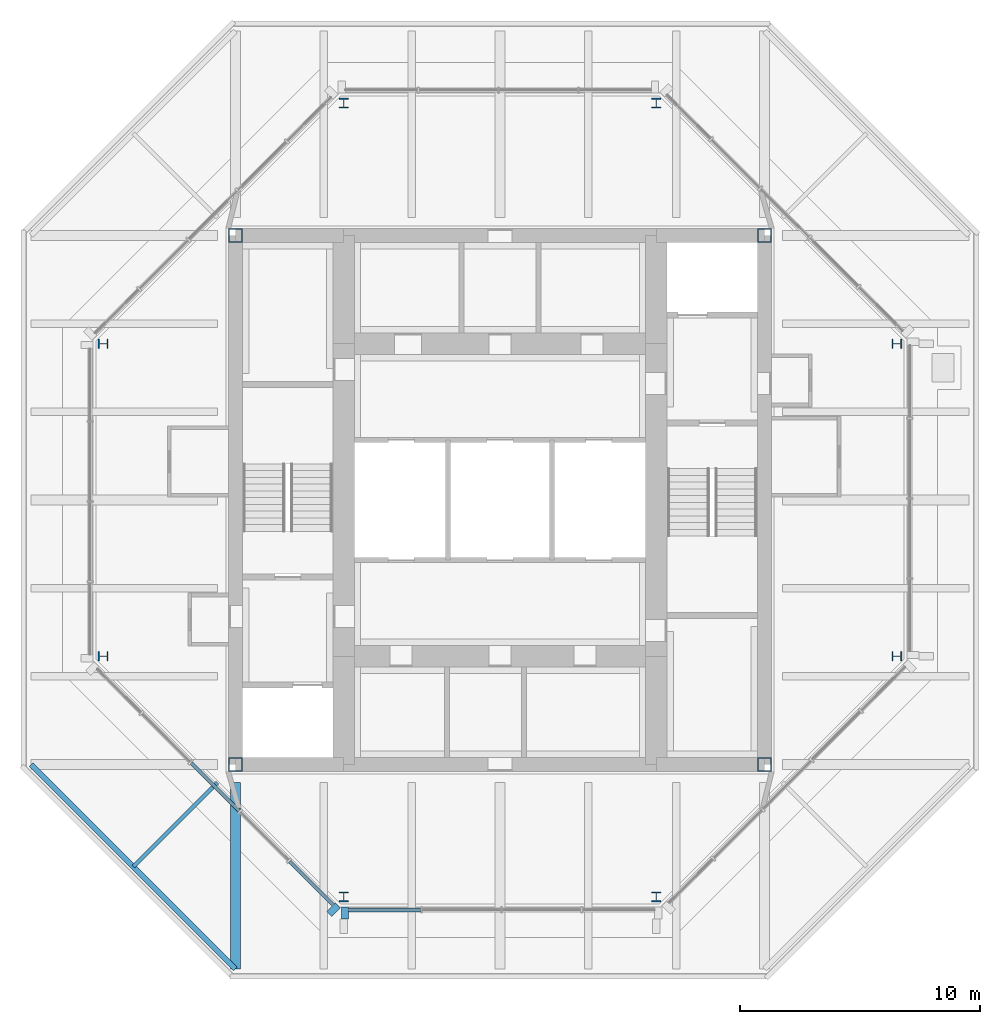
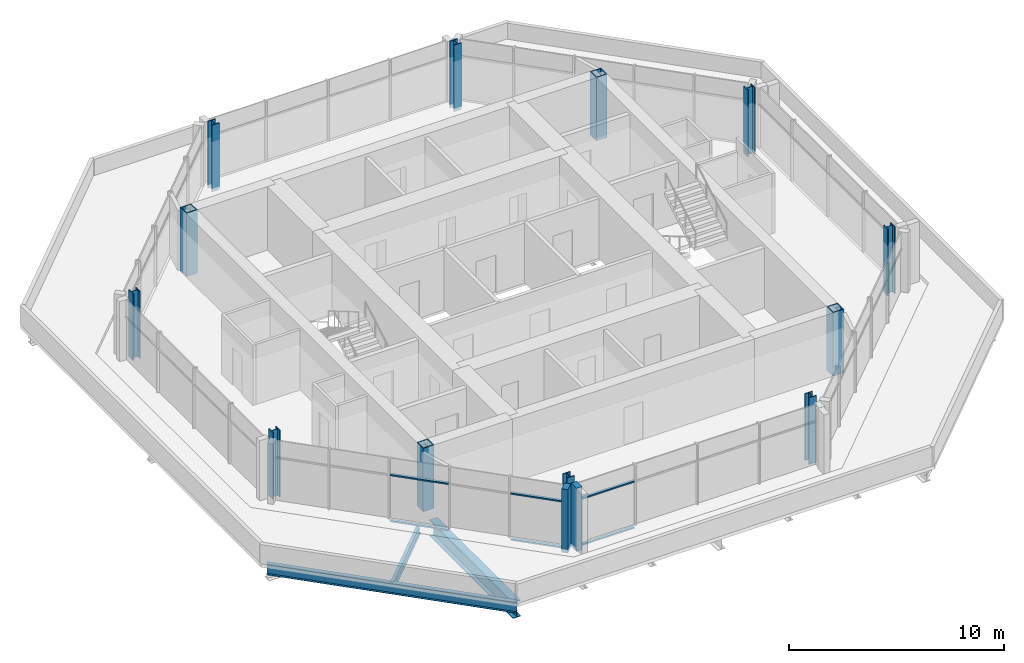
# One storey, part 1 of 10: 12 columns, 8 members, 3 beams, 2 elements without a shape of their own.
"""IFC4 building model written with IfcOpenShell, lengths in metres."""

from ifc_helpers import new_model, si_unit, direction, frame, origin, origin_2d, place, context, subcontext, project, spatial, rectangle, hollow_rectangle, i_section, extrude, material, material_profile, profile_set, type_object, element, aggregate, save


model = new_model("IFC4")

# Units and contexts
model_context = context("Model", 3, precision=1e-05, world=origin(), true_north=direction((0.0, 1.0)))
body_context = subcontext(model_context, "Body", "Model", "MODEL_VIEW")
ifc_project = project(units=[si_unit("LENGTHUNIT", "METRE"), si_unit("AREAUNIT", "SQUARE_METRE"), si_unit("VOLUMEUNIT", "CUBIC_METRE"), si_unit("PLANEANGLEUNIT", "RADIAN"), si_unit("MASSUNIT", "GRAM", prefix="KILO")], contexts=[model_context])

# Site, building, storey
site_placement = place(None, origin())
site = spatial("IfcSite", under=ifc_project, at=site_placement, CompositionType="ELEMENT")
building_placement = place(site_placement, origin())
building = spatial("IfcBuilding", under=site, at=building_placement, Name="Trevanion Tower", CompositionType="ELEMENT")
storey_placement = place(building_placement, frame((0.0, 0.0, 263.199951171875)))
storey = spatial("IfcBuildingStorey", under=building, at=storey_placement, Name="L64", CompositionType="ELEMENT", Elevation=263.199951171875)

# Columns
ifc_material_1 = material(Name="Steel ASTM A913 Grade 65", Category="steel")
ifc_material_profile_1 = material_profile(ifc_material_1, i_section(OverallWidth=0.406494140625, OverallDepth=0.41650390625, WebThickness=0.030029296875, FlangeThickness=0.048095703125, at=origin_2d()), Name="W14X257")
ifc_profile_set_1 = profile_set([ifc_material_profile_1], Name="Steel ASTM A913 Grade 65")
column_type_1 = type_object("IfcColumnType", Name="C6 W14X257", PredefinedType="COLUMN", material=ifc_profile_set_1)
for number, where, z_axis, x_axis, name in (
    (1, (-16.5, -6.5, -0.18994140625), (0.0, 0.0, 1.0), (0.0, 1.0, 0.0), "C6 7/G L64"),
    (2, (-6.5, -16.5, -0.18994140625), (0.0, 0.0, 1.0), (1.0, 0.0, 0.0), "C6 9/E L64"),
    (3, (6.5, -16.5, -0.18994140625), (0.0, 0.0, 1.0), (1.0, 0.0, 0.0), "C6 11/E L64"),
    (4, (16.5, -6.5, -0.18994140625), (0.0, 0.0, 1.0), (0.0, 1.0, 0.0), "C6 13/G L64"),
    (5, (16.5, 6.5, -0.18994140625), (0.0, 0.0, 1.0), (0.0, 1.0, 0.0), "C6 13/J L64"),
    (6, (6.5, 16.5, -0.18994140625), (0.0, 0.0, 1.0), (1.0, 0.0, 0.0), "C6 11/L L64"),
    (7, (-6.5, 16.5, -0.18994140625), (0.0, 0.0, 1.0), (1.0, 0.0, 0.0), "C6 9/L L64"),
    (8, (-16.5, 6.5, -0.18994140625), (0.0, 0.0, 1.0), (0.0, 1.0, 0.0), "C6 7/J L64"),
):
    element("IfcColumn", number, at=place(storey_placement, frame(where, z_axis=z_axis, x_axis=x_axis)), inside=storey, type_object=column_type_1, Name=name, PredefinedType="COLUMN", context=body_context, shape_type="SweptSolid", body=[
        extrude(i_section(OverallWidth=0.406494140625, OverallDepth=0.41650390625, WebThickness=0.030029296875, FlangeThickness=0.048095703125, at=origin_2d()), origin(), (0.0, 0.0, 1.0), 3.7900390625),
    ])
ifc_material_2 = material(Name="Steel ASTM A572 Grade 50", Category="steel")
ifc_material_profile_2 = material_profile(ifc_material_2, hollow_rectangle(XDim=0.584228515625, YDim=0.584228515625, WallThickness=0.05078125, at=origin_2d()), Name="BOX23X23X2")
ifc_profile_set_2 = profile_set([ifc_material_profile_2], Name="Steel ASTM A572 Grade 50")
column_type_2 = type_object("IfcColumnType", Name="CB1 BOX23X23X2", PredefinedType="COLUMN", material=ifc_profile_set_2)
for number, where, z_axis, x_axis, name in (
    (9, (11.0, 11.0, 0.0), (0.0, 0.0, 1.0), (1.0, 0.0, 0.0), "CB1 NE L64"),
    (10, (-11.0, 11.0, 0.0), (0.0, 0.0, 1.0), (1.0, 0.0, 0.0), "CB1 NW L64"),
    (11, (-11.0, -11.0, 0.0), (0.0, 0.0, 1.0), (1.0, 0.0, 0.0), "CB1 SW L64"),
    (12, (11.0, -11.0, 0.0), (0.0, 0.0, 1.0), (1.0, 0.0, 0.0), "CB1 SE L64"),
):
    element("IfcColumn", number, at=place(storey_placement, frame(where, z_axis=z_axis, x_axis=x_axis)), inside=storey, type_object=column_type_2, Name=name, PredefinedType="COLUMN", context=body_context, shape_type="SweptSolid", body=[
        extrude(hollow_rectangle(XDim=0.584228515625, YDim=0.584228515625, WallThickness=0.05078125, at=origin_2d()), origin(), (0.0, 0.0, 1.0), 3.60009765625),
    ])

# Beam
ifc_material_3 = material(Name="Steel ASTM A992 Grade 50", Category="steel")
ifc_material_profile_3 = material_profile(ifc_material_3, i_section(OverallWidth=0.1650390625, OverallDepth=0.52587890625, WebThickness=0.0087890625, FlangeThickness=0.011474609375, at=origin_2d()), Name="W21X44")
ifc_profile_set_3 = profile_set([ifc_material_profile_3], Name="Steel ASTM A992 Grade 50")
beam_type_1 = type_object("IfcBeamType", Name="B14 W21X44", PredefinedType="BEAM", material=ifc_profile_set_3)
beam_1_placement = place(storey_placement, frame((-11.75, -11.75, -0.452880859375), z_axis=(-0.707106781187, -0.707106781187, 0.0), x_axis=(0.707106781187, -0.707106781187, 0.0)))
element("IfcBeam", 13, at=beam_1_placement, inside=storey, type_object=beam_type_1, Name="B14 L64", PredefinedType="BEAM", context=body_context, shape_type="SweptSolid", body=[
    extrude(i_section(OverallWidth=0.1650390625, OverallDepth=0.52587890625, WebThickness=0.0087890625, FlangeThickness=0.011474609375, at=origin_2d()), origin(), (0.0, 0.0, 1.0), 4.94970703125),
])

# Curtain wall, member
ifc_material_4 = material(Name="Aluminium and glass", Category="aluminium")
curtain_wall_type = type_object("IfcCurtainWallType", Name="CW4 curtain wall", PredefinedType="USERDEFINED", material=ifc_material_4)
curtain_wall_1_placement = place(storey_placement, origin())
curtain_wall_1 = element("IfcCurtainWall", 14, at=curtain_wall_1_placement, inside=storey, type_object=curtain_wall_type, Name="CW4 L64 5", ObjectType="UNITISED CURTAIN WALL", PredefinedType="USERDEFINED")
ifc_material_5 = material(Name="Aluminium extrusion, anodised bronze", Category="aluminium")
ifc_material_profile_4 = material_profile(ifc_material_5, rectangle(XDim=0.300048828125, YDim=0.5, at=origin_2d()), Name="CW4 pier mullion")
ifc_profile_set_4 = profile_set([ifc_material_profile_4], Name="Aluminium extrusion, anodised bronze")
member_type_1 = type_object("IfcMemberType", Name="CW4 pier mullion", PredefinedType="MULLION", material=ifc_profile_set_4)
member_1_placement = place(storey_placement, frame((-6.92236328125, -17.0322265625, -0.18994140625), z_axis=(0.0, 0.0, 1.0), x_axis=(0.707106781187, -0.707106781187, 0.0)))
member_1 = element("IfcMember", 15, at=member_1_placement, type_object=member_type_1, Name="CW4 pier mullion 6", PredefinedType="MULLION", context=body_context, shape_type="SweptSolid", body=[
    extrude(rectangle(XDim=0.300048828125, YDim=0.5, at=origin_2d()), origin(), (0.0, 0.0, 1.0), 3.60009765625),
])

curtain_wall_2_placement = place(storey_placement, origin())
curtain_wall_2 = element("IfcCurtainWall", 16, at=curtain_wall_2_placement, inside=storey, type_object=curtain_wall_type, Name="CW4 L64 6", ObjectType="UNITISED CURTAIN WALL", PredefinedType="USERDEFINED")
member_2_placement = place(storey_placement, frame((-6.44775390625, -17.175048828125, -0.18994140625), z_axis=(0.0, 0.0, 1.0), x_axis=(1.0, 0.0, 0.0)))
member_2 = element("IfcMember", 17, at=member_2_placement, type_object=member_type_1, Name="CW4 pier mullion 1", PredefinedType="MULLION", context=body_context, shape_type="SweptSolid", body=[
    extrude(rectangle(XDim=0.300048828125, YDim=0.5, at=origin_2d()), origin(), (0.0, 0.0, 1.0), 3.60009765625),
])

# Member
ifc_material_6 = material(Name="Aluminium extrusion, anodised bronze", Category="aluminium")
ifc_material_profile_5 = material_profile(ifc_material_6, rectangle(XDim=0.14990234375, YDim=0.074951171875, at=origin_2d()), Name="CW4 transom")
ifc_profile_set_5 = profile_set([ifc_material_profile_5], Name="Aluminium extrusion, anodised bronze")
member_type_2 = type_object("IfcMemberType", Name="CW4 transom", PredefinedType="USERDEFINED", material=ifc_profile_set_5)
member_3_placement = place(storey_placement, frame((-12.839599609375, -10.9384765625, -0.15234375), z_axis=(0.707150088905, -0.707063470815, 0.0), x_axis=(0.707063470815, 0.707150088905, 0.0)))
member_3 = element("IfcMember", 18, at=member_3_placement, type_object=member_type_2, Name="CW4 transom 3.1", ObjectType="TRANSOM", PredefinedType="USERDEFINED", context=body_context, shape_type="SweptSolid", body=[
    extrude(rectangle(XDim=0.14990234375, YDim=0.074951171875, at=origin_2d()), origin(), (0.0, 0.0, 1.0), 2.818603515625),
])

member_4_placement = place(storey_placement, frame((-12.839599609375, -10.9384765625, 2.4599609375), z_axis=(0.707150088905, -0.707063470815, 0.0), x_axis=(0.707063470815, 0.707150088905, 0.0)))
member_4 = element("IfcMember", 19, at=member_4_placement, type_object=member_type_2, Name="CW4 transom 3.2", ObjectType="TRANSOM", PredefinedType="USERDEFINED", context=body_context, shape_type="SweptSolid", body=[
    extrude(rectangle(XDim=0.14990234375, YDim=0.074951171875, at=origin_2d()), origin(), (0.0, 0.0, 1.0), 2.818603515625),
])

member_5_placement = place(storey_placement, frame((-8.747314453125, -15.030517578125, -0.15234375), z_axis=(0.707106781187, -0.707106781187, 0.0), x_axis=(0.707106781187, 0.707106781187, 0.0)))
member_5 = element("IfcMember", 20, at=member_5_placement, type_object=member_type_2, Name="CW4 transom 5.1", ObjectType="TRANSOM", PredefinedType="USERDEFINED", context=body_context, shape_type="SweptSolid", body=[
    extrude(rectangle(XDim=0.14990234375, YDim=0.074951171875, at=origin_2d()), origin(), (0.0, 0.0, 1.0), 2.555908203125),
])

member_6_placement = place(storey_placement, frame((-8.747314453125, -15.030517578125, 2.4599609375), z_axis=(0.707106781187, -0.707106781187, 0.0), x_axis=(0.707106781187, 0.707106781187, 0.0)))
member_6 = element("IfcMember", 21, at=member_6_placement, type_object=member_type_2, Name="CW4 transom 5.2", ObjectType="TRANSOM", PredefinedType="USERDEFINED", context=body_context, shape_type="SweptSolid", body=[
    extrude(rectangle(XDim=0.14990234375, YDim=0.074951171875, at=origin_2d()), origin(), (0.0, 0.0, 1.0), 2.555908203125),
])

aggregate(curtain_wall_1, [member_1, member_3, member_4, member_5, member_6])

member_7_placement = place(storey_placement, frame((-6.2978515625, -17.050048828125, -0.15234375), z_axis=(1.0, 0.0, 0.0), x_axis=(0.0, 1.0, 0.0)))
member_7 = element("IfcMember", 22, at=member_7_placement, type_object=member_type_2, Name="CW4 transom 1.1", ObjectType="TRANSOM", PredefinedType="USERDEFINED", context=body_context, shape_type="SweptSolid", body=[
    extrude(rectangle(XDim=0.14990234375, YDim=0.074951171875, at=origin_2d()), origin(), (0.0, 0.0, 1.0), 2.993896484375),
])

member_8_placement = place(storey_placement, frame((-6.2978515625, -17.050048828125, 2.4599609375), z_axis=(1.0, 0.0, 0.0), x_axis=(0.0, 1.0, 0.0)))
member_8 = element("IfcMember", 23, at=member_8_placement, type_object=member_type_2, Name="CW4 transom 1.2", ObjectType="TRANSOM", PredefinedType="USERDEFINED", context=body_context, shape_type="SweptSolid", body=[
    extrude(rectangle(XDim=0.14990234375, YDim=0.074951171875, at=origin_2d()), origin(), (0.0, 0.0, 1.0), 2.993896484375),
])

aggregate(curtain_wall_2, [member_2, member_7, member_8])

# Beams
ifc_material_7 = material(Name="Steel ASTM A992 Grade 50", Category="steel")
ifc_material_profile_6 = material_profile(ifc_material_7, i_section(OverallWidth=0.419189453125, OverallDepth=0.927001953125, WebThickness=0.019287109375, FlangeThickness=0.031982421875, at=origin_2d()), Name="W36X231")
ifc_profile_set_6 = profile_set([ifc_material_profile_6], Name="Steel ASTM A992 Grade 50")
beam_type_2 = type_object("IfcBeamType", Name="G7 W36X231", PredefinedType="BEAM", material=ifc_profile_set_6)
beam_2_placement = place(storey_placement, frame((-11.0, -11.75, -0.653564453125), z_axis=(0.0, -1.0, 0.0), x_axis=(1.0, 0.0, 0.0)))
element("IfcBeam", 24, at=beam_2_placement, inside=storey, type_object=beam_type_2, Name="G7 L64", PredefinedType="BEAM", context=body_context, shape_type="SweptSolid", body=[
    extrude(i_section(OverallWidth=0.419189453125, OverallDepth=0.927001953125, WebThickness=0.019287109375, FlangeThickness=0.031982421875, at=origin_2d()), origin(), (0.0, 0.0, 1.0), 7.75),
])
ifc_material_8 = material(Name="Steel ASTM A992 Grade 50", Category="steel")
ifc_material_profile_7 = material_profile(ifc_material_8, i_section(OverallWidth=0.22900390625, OverallDepth=0.612060546875, WebThickness=0.011962890625, FlangeThickness=0.01953125, at=origin_2d()), Name="W24X84")
ifc_profile_set_7 = profile_set([ifc_material_profile_7], Name="Steel ASTM A992 Grade 50")
beam_type_3 = type_object("IfcBeamType", Name="SB11 W24X84", PredefinedType="SPANDREL", material=ifc_profile_set_7)
beam_3_placement = place(storey_placement, frame((-19.5, -11.0, -0.49609375), z_axis=(0.707106781187, -0.707106781187, 0.0), x_axis=(0.707106781187, 0.707106781187, 0.0)))
element("IfcBeam", 25, at=beam_3_placement, inside=storey, type_object=beam_type_3, Name="SB11 L64", PredefinedType="SPANDREL", context=body_context, shape_type="SweptSolid", body=[
    extrude(i_section(OverallWidth=0.22900390625, OverallDepth=0.612060546875, WebThickness=0.011962890625, FlangeThickness=0.01953125, at=origin_2d()), origin(), (0.0, 0.0, 1.0), 12.020751953125),
])

save(model, "model.ifc")
